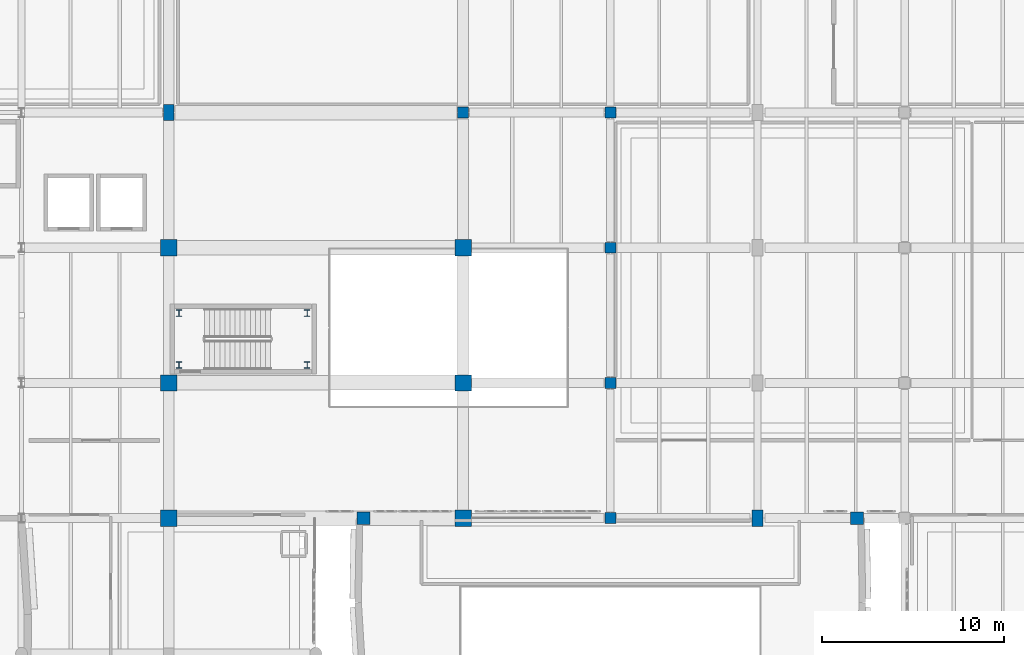
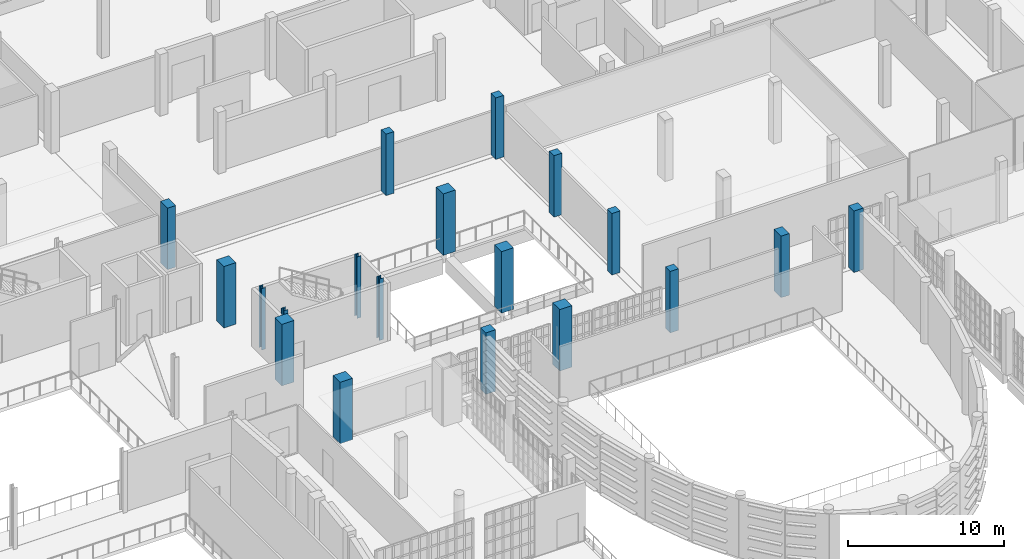
# One storey, part 6 of 104: 19 columns.
"""IFC4 building model written with IfcOpenShell, lengths in metres."""

from ifc_helpers import new_model, si_unit, direction, frame, origin, origin_2d, place, context, subcontext, project, spatial, rectangle, i_section, extrude, material, material_profile, profile_set, type_object, element, save


model = new_model("IFC4")

# Units and contexts
model_context = context("Model", 3, precision=1e-05, world=origin(), true_north=direction((0.0, 1.0)))
body_context = subcontext(model_context, "Body", "Model", "MODEL_VIEW")
ifc_project = project(units=[si_unit("LENGTHUNIT", "METRE"), si_unit("AREAUNIT", "SQUARE_METRE"), si_unit("VOLUMEUNIT", "CUBIC_METRE"), si_unit("PLANEANGLEUNIT", "RADIAN"), si_unit("MASSUNIT", "GRAM", prefix="KILO")], contexts=[model_context])

# Site, building, storey
site_placement = place(None, origin())
site = spatial("IfcSite", under=ifc_project, at=site_placement, CompositionType="ELEMENT")
building_placement = place(site_placement, origin())
building = spatial("IfcBuilding", under=site, at=building_placement, Name="Kaelora Sail Theatre", CompositionType="ELEMENT")
storey_placement = place(building_placement, frame((0.0, 0.0, 5.39990234375)))
storey = spatial("IfcBuildingStorey", under=building, at=storey_placement, Name="L01", CompositionType="ELEMENT", Elevation=5.39990234375)

# Columns
ifc_material_1 = material(Name="Steel S355", Category="steel")
ifc_material_profile_1 = material_profile(ifc_material_1, i_section(OverallWidth=0.300048828125, OverallDepth=0.360107421875, WebThickness=0.012451171875, FlangeThickness=0.0224609375, FilletRadius=0.027099609375, at=origin_2d()), Name="HEB 360")
ifc_profile_set_1 = profile_set([ifc_material_profile_1], Name="Steel S355")
column_type_1 = type_object("IfcColumnType", Name="STR-COL-C-HEB360", PredefinedType="COLUMN", material=ifc_profile_set_1)
for number, where, z_axis, x_axis, name in (
    (1, (66.8701171875, 69.449951171875, 0.0), (0.0, 0.0, 1.0), (1.0, 0.0, 0.0), "Feature stair ST-F1 support column SW (L01)"),
    (2, (66.8701171875, 72.300048828125, 0.0), (0.0, 0.0, 1.0), (1.0, 0.0, 0.0), "Feature stair ST-F1 support column NW (L01)"),
    (3, (73.919921875, 69.449951171875, 0.0), (0.0, 0.0, 1.0), (1.0, 0.0, 0.0), "Feature stair ST-F1 support column SE (L01)"),
    (4, (73.919921875, 72.300048828125, 0.0), (0.0, 0.0, 1.0), (1.0, 0.0, 0.0), "Feature stair ST-F1 support column NE (L01)"),
):
    element("IfcColumn", number, at=place(storey_placement, frame(where, z_axis=z_axis, x_axis=x_axis)), inside=storey, type_object=column_type_1, Name=name, PredefinedType="COLUMN", context=body_context, shape_type="SweptSolid", body=[
        extrude(i_section(OverallWidth=0.300048828125, OverallDepth=0.360107421875, WebThickness=0.012451171875, FlangeThickness=0.0224609375, FilletRadius=0.027099609375, at=origin_2d()), origin(), (0.0, 0.0, 1.0), 4.800048828125),
    ])
ifc_material_2 = material(Name="Concrete C40/50", Category="concrete")
ifc_material_profile_2 = material_profile(ifc_material_2, rectangle(XDim=0.60009765625, YDim=0.60009765625, at=origin_2d()), Name="RC-COL 600x600")
ifc_profile_set_2 = profile_set([ifc_material_profile_2], Name="Concrete C40/50")
column_type_2 = type_object("IfcColumnType", Name="STR-COL-C-RC600", PredefinedType="COLUMN", material=ifc_profile_set_2)
for number, where, z_axis, x_axis, name in (
    (5, (82.5, 83.340087890625, 0.0), (0.0, 0.0, 1.0), (1.0, 0.0, 0.0), "Column 11/L (L01)"),
    (6, (90.60009765625, 61.02001953125, 0.0), (0.0, 0.0, 1.0), (1.0, 0.0, 0.0), "Column 12/I (L01)"),
    (7, (90.60009765625, 68.4599609375, 0.0), (0.0, 0.0, 1.0), (1.0, 0.0, 0.0), "Column 12/J (L01)"),
    (8, (90.60009765625, 75.89990234375, 0.0), (0.0, 0.0, 1.0), (1.0, 0.0, 0.0), "Column 12/K (L01)"),
    (9, (90.60009765625, 83.340087890625, 0.0), (0.0, 0.0, 1.0), (1.0, 0.0, 0.0), "Column 12/L (L01)"),
):
    element("IfcColumn", number, at=place(storey_placement, frame(where, z_axis=z_axis, x_axis=x_axis)), inside=storey, type_object=column_type_2, Name=name, PredefinedType="COLUMN", context=body_context, shape_type="SweptSolid", body=[
        extrude(rectangle(XDim=0.60009765625, YDim=0.60009765625, at=origin_2d()), origin(), (0.0, 0.0, 1.0), 4.800048828125),
    ])
ifc_material_3 = material(Name="Concrete C45/55", Category="concrete")
ifc_material_profile_3 = material_profile(ifc_material_3, rectangle(XDim=0.60009765625, YDim=0.89990234375, at=origin_2d()), Name="RC-COL 600x900")
ifc_profile_set_3 = profile_set([ifc_material_profile_3], Name="Concrete C45/55")
column_type_3 = type_object("IfcColumnType", Name="STR-COL-C-RC6090", PredefinedType="COLUMN", material=ifc_profile_set_3)
for number, where, z_axis, x_axis, name in (
    (10, (66.300048828125, 83.340087890625, 0.0), (0.0, 0.0, 1.0), (1.0, 0.0, 0.0), "Column 9/L (L01)"),
    (11, (98.699951171875, 61.02001953125, 0.0), (0.0, 0.0, 1.0), (1.0, 0.0, 0.0), "Column 13/I (L01)"),
):
    element("IfcColumn", number, at=place(storey_placement, frame(where, z_axis=z_axis, x_axis=x_axis)), inside=storey, type_object=column_type_3, Name=name, PredefinedType="COLUMN", context=body_context, shape_type="SweptSolid", body=[
        extrude(rectangle(XDim=0.60009765625, YDim=0.89990234375, at=origin_2d()), origin(), (0.0, 0.0, 1.0), 4.800048828125),
    ])
ifc_material_4 = material(Name="Concrete C45/55", Category="concrete")
ifc_material_profile_4 = material_profile(ifc_material_4, rectangle(XDim=0.699951171875, YDim=0.699951171875, at=origin_2d()), Name="RC-COL 700x700")
ifc_profile_set_4 = profile_set([ifc_material_profile_4], Name="Concrete C45/55")
column_type_4 = type_object("IfcColumnType", Name="STR-COL-C-RC700", PredefinedType="COLUMN", material=ifc_profile_set_4)
for number, where, z_axis, x_axis, name in (
    (12, (104.179931640625, 61.02001953125, 0.0), (0.0, 0.0, 1.0), (1.0, 0.0, 0.0), "Studio Theatre north corner column NE (L01)"),
    (13, (77.02001953125, 61.02001953125, 0.0), (0.0, 0.0, 1.0), (1.0, 0.0, 0.0), "Studio Theatre north corner column NW (L01)"),
):
    element("IfcColumn", number, at=place(storey_placement, frame(where, z_axis=z_axis, x_axis=x_axis)), inside=storey, type_object=column_type_4, Name=name, PredefinedType="COLUMN", context=body_context, shape_type="SweptSolid", body=[
        extrude(rectangle(XDim=0.699951171875, YDim=0.699951171875, at=origin_2d()), origin(), (0.0, 0.0, 1.0), 4.800048828125),
    ])
ifc_material_5 = material(Name="Concrete C50/60", Category="concrete")
ifc_material_profile_5 = material_profile(ifc_material_5, rectangle(XDim=0.89990234375, YDim=0.89990234375, at=origin_2d()), Name="RC-COL 900x900")
ifc_profile_set_5 = profile_set([ifc_material_profile_5], Name="Concrete C50/60")
column_type_5 = type_object("IfcColumnType", Name="STR-COL-C-RC900", PredefinedType="COLUMN", material=ifc_profile_set_5)
for number, where, z_axis, x_axis, name in (
    (14, (66.300048828125, 61.02001953125, 0.0), (0.0, 0.0, 1.0), (1.0, 0.0, 0.0), "Column 9/I (L01)"),
    (15, (66.300048828125, 68.4599609375, 0.0), (0.0, 0.0, 1.0), (1.0, 0.0, 0.0), "Column 9/J (L01)"),
    (16, (66.300048828125, 75.89990234375, 0.0), (0.0, 0.0, 1.0), (1.0, 0.0, 0.0), "Column 9/K (L01)"),
    (17, (82.5, 61.02001953125, 0.0), (0.0, 0.0, 1.0), (1.0, 0.0, 0.0), "Column 11/I (L01)"),
    (18, (82.5, 68.4599609375, 0.0), (0.0, 0.0, 1.0), (1.0, 0.0, 0.0), "Column 11/J (L01)"),
    (19, (82.5, 75.89990234375, 0.0), (0.0, 0.0, 1.0), (1.0, 0.0, 0.0), "Column 11/K (L01)"),
):
    element("IfcColumn", number, at=place(storey_placement, frame(where, z_axis=z_axis, x_axis=x_axis)), inside=storey, type_object=column_type_5, Name=name, PredefinedType="COLUMN", context=body_context, shape_type="SweptSolid", body=[
        extrude(rectangle(XDim=0.89990234375, YDim=0.89990234375, at=origin_2d()), origin(), (0.0, 0.0, 1.0), 4.800048828125),
    ])

save(model, "model.ifc")
